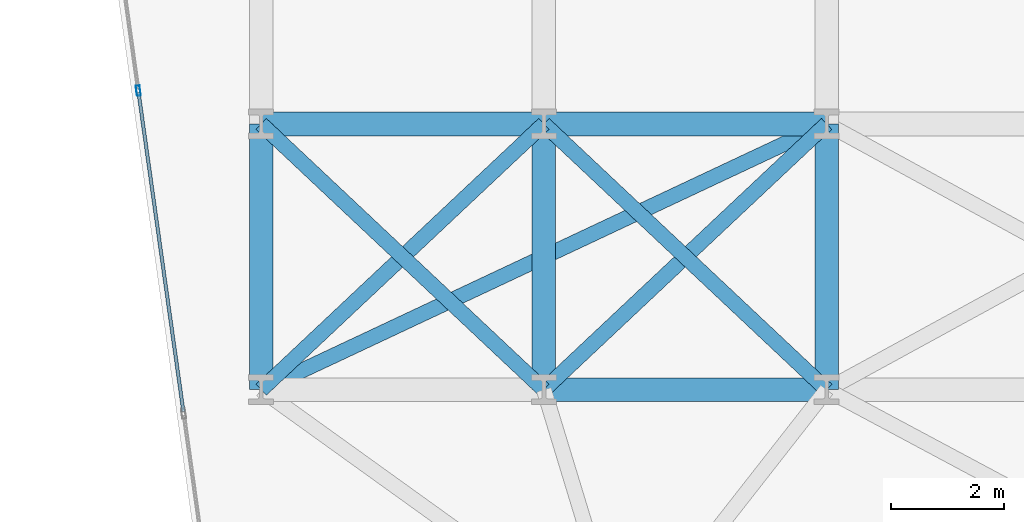
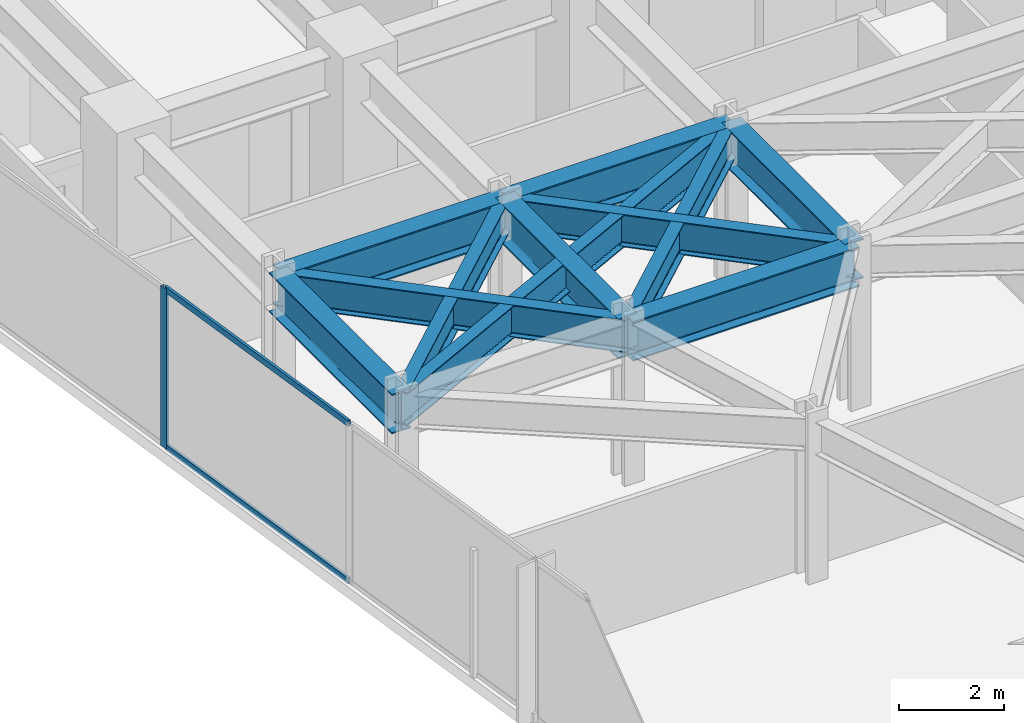
# One storey, part 8 of 25: 11 beams, 3 members, 1 element without a shape of its own.
"""IFC4 building model written with IfcOpenShell, lengths in metres."""

from ifc_helpers import new_model, si_unit, direction, frame, origin, origin_2d, place, context, subcontext, project, spatial, hollow_rectangle, i_section, extrude, material, layer, layer_set, material_profile, profile_set, type_object, element, aggregate, save


model = new_model("IFC4")

# Units and contexts
model_context = context("Model", 3, precision=1e-05, world=origin(), true_north=direction((0.0, 1.0)))
body_context = subcontext(model_context, "Body", "Model", "MODEL_VIEW")
ifc_project = project(units=[si_unit("LENGTHUNIT", "METRE"), si_unit("AREAUNIT", "SQUARE_METRE"), si_unit("VOLUMEUNIT", "CUBIC_METRE"), si_unit("PLANEANGLEUNIT", "RADIAN"), si_unit("MASSUNIT", "GRAM", prefix="KILO")], contexts=[model_context])

# Site, building, storey
site_placement = place(None, origin())
site = spatial("IfcSite", under=ifc_project, at=site_placement, CompositionType="ELEMENT")
building_placement = place(site_placement, origin())
building = spatial("IfcBuilding", under=site, at=building_placement, Name="Kravanh Interchange Tower", CompositionType="ELEMENT")
storey_placement = place(building_placement, frame((0.0, 0.0, 49.5)))
storey = spatial("IfcBuildingStorey", under=building, at=storey_placement, Name="L11", CompositionType="ELEMENT", Elevation=49.5)

# Curtain wall, members
ifc_material_1 = material(Name="Anodised Bronze Aluminium", Category="aluminium")
ifc_layer = layer(ifc_material_1, 0.179931640625)
ifc_layer_set = layer_set([ifc_layer], Name="Unitised Curtain Wall System CW-Z1 Lower Office")
curtain_wall_type = type_object("IfcCurtainWallType", Name="Unitised Curtain Wall System CW-Z1 Lower Office", PredefinedType="NOTDEFINED", material=ifc_layer_set)
curtain_wall_placement = place(storey_placement, origin())
curtain_wall = element("IfcCurtainWall", 1, at=curtain_wall_placement, inside=storey, type_object=curtain_wall_type, Name="L11 Unitised Curtain Wall CW-L11-01", PredefinedType="NOTDEFINED")
ifc_material_2 = material(Name="Anodised Bronze Aluminium", Category="aluminium")
ifc_material_profile_1 = material_profile(ifc_material_2, hollow_rectangle(XDim=0.070068359375, YDim=0.179931640625, WallThickness=0.00390625, at=origin_2d()), Name="ALU70X180X4")
ifc_profile_set_1 = profile_set([ifc_material_profile_1], Name="Anodised Bronze Aluminium")
member_type_1 = type_object("IfcMemberType", Name="Curtain Wall Mullion ALU70X180X4 Bronze", PredefinedType="MULLION", material=ifc_profile_set_1)
member_1_placement = place(storey_placement, frame((6.427490234375, 32.08935546875, 0.0), z_axis=(0.0, 0.0, 1.0), x_axis=(-0.990267585682, -0.139176538065, 0.0)))
member_1 = element("IfcMember", 2, at=member_1_placement, type_object=member_type_1, Name="CW-Z1 mullion 6", PredefinedType="MULLION", context=body_context, shape_type="SweptSolid", body=[
    extrude(hollow_rectangle(XDim=0.070068359375, YDim=0.179931640625, WallThickness=0.00390625, at=origin_2d()), origin(), (0.0, 0.0, 1.0), 3.739990234375),
])
ifc_material_3 = material(Name="Anodised Bronze Aluminium", Category="aluminium")
ifc_material_profile_2 = material_profile(ifc_material_3, hollow_rectangle(XDim=0.06005859375, YDim=0.139892578125, WallThickness=0.00390625, at=origin_2d()), Name="ALU60X140X4")
ifc_profile_set_2 = profile_set([ifc_material_profile_2], Name="Anodised Bronze Aluminium")
member_type_2 = type_object("IfcMemberType", Name="Curtain Wall Transom ALU60X140X4 Bronze", PredefinedType="USERDEFINED", material=ifc_profile_set_2)
member_2_placement = place(storey_placement, frame((7.22509765625, 26.41357421875, 0.030029296875), z_axis=(-0.139158957544, 0.990270056366, 0.0), x_axis=(-0.990270056366, -0.139158957544, 0.0)))
member_2 = element("IfcMember", 3, at=member_2_placement, type_object=member_type_2, Name="CW-Z1 transom 5.1", ObjectType="TRANSOM", PredefinedType="USERDEFINED", context=body_context, shape_type="SweptSolid", body=[
    extrude(hollow_rectangle(XDim=0.06005859375, YDim=0.139892578125, WallThickness=0.00390625, at=origin_2d()), origin(), (0.0, 0.0, 1.0), 5.696533203125),
])
member_3_placement = place(storey_placement, frame((7.22509765625, 26.41357421875, 3.7099609375), z_axis=(-0.139158957544, 0.990270056366, 0.0), x_axis=(-0.990270056366, -0.139158957544, 0.0)))
member_3 = element("IfcMember", 4, at=member_3_placement, type_object=member_type_2, Name="CW-Z1 transom 5.2", ObjectType="TRANSOM", PredefinedType="USERDEFINED", context=body_context, shape_type="SweptSolid", body=[
    extrude(hollow_rectangle(XDim=0.06005859375, YDim=0.139892578125, WallThickness=0.00390625, at=origin_2d()), origin(), (0.0, 0.0, 1.0), 5.696533203125),
])
aggregate(curtain_wall, [member_1, member_2, member_3])

# Beams
ifc_material_4 = material(Name="Structural Steel S355", Category="steel")
ifc_material_profile_3 = material_profile(ifc_material_4, i_section(OverallWidth=0.41796875, OverallDepth=0.927001953125, WebThickness=0.019287109375, FlangeThickness=0.031982421875, FilletRadius=0.028076171875, at=origin_2d()), Name="W36X231")
ifc_profile_set_3 = profile_set([ifc_material_profile_3], Name="Structural Steel S355")
beam_type_1 = type_object("IfcBeamType", Name="Floor Beam W36X231 Structural Steel S355", PredefinedType="BEAM", material=ifc_profile_set_3)
for number, where, z_axis, x_axis, name in (
    (5, (8.60009765625, 26.800048828125, 3.276611328125), (0.0, 1.0, 0.0), (-1.0, 0.0, 0.0), "L11 Primary Floor Girder 66"),
    (6, (13.60009765625, 26.800048828125, 3.276611328125), (0.0, 1.0, 0.0), (-1.0, 0.0, 0.0), "L11 Primary Floor Girder 70"),
):
    element("IfcBeam", number, at=place(storey_placement, frame(where, z_axis=z_axis, x_axis=x_axis)), inside=storey, type_object=beam_type_1, Name=name, PredefinedType="BEAM", context=body_context, shape_type="SweptSolid", body=[
        extrude(i_section(OverallWidth=0.41796875, OverallDepth=0.927001953125, WebThickness=0.019287109375, FlangeThickness=0.031982421875, FilletRadius=0.028076171875, at=origin_2d()), origin(), (0.0, 0.0, 1.0), 4.699951171875),
    ])
beam_1_placement = place(storey_placement, frame((13.60009765625, 26.800048828125, 3.276611328125), z_axis=(1.0, 0.0, 0.0), x_axis=(0.0, 1.0, 0.0)))
element("IfcBeam", 7, at=beam_1_placement, inside=storey, type_object=beam_type_1, Name="L11 Primary Floor Girder 71", PredefinedType="BEAM", context=body_context, shape_type="SweptSolid", body=[
    extrude(i_section(OverallWidth=0.41796875, OverallDepth=0.927001953125, WebThickness=0.019287109375, FlangeThickness=0.031982421875, FilletRadius=0.028076171875, at=origin_2d()), origin(), (0.0, 0.0, 1.0), 5.0),
])
beam_2_placement = place(storey_placement, frame((18.60009765625, 26.800048828125, 3.276611328125), z_axis=(0.0, 1.0, 0.0), x_axis=(-1.0, 0.0, 0.0)))
element("IfcBeam", 8, at=beam_2_placement, inside=storey, type_object=beam_type_1, Name="L11 Primary Floor Girder 74", PredefinedType="BEAM", context=body_context, shape_type="SweptSolid", body=[
    extrude(i_section(OverallWidth=0.41796875, OverallDepth=0.927001953125, WebThickness=0.019287109375, FlangeThickness=0.031982421875, FilletRadius=0.028076171875, at=origin_2d()), origin(), (0.0, 0.0, 1.0), 4.699951171875),
])
for number, where, z_axis, x_axis, name in (
    (9, (8.60009765625, 31.5, 3.276611328125), (1.0, 0.0, 0.0), (0.0, 1.0, 0.0), "L11 Primary Floor Girder 100"),
    (10, (13.60009765625, 31.5, 3.276611328125), (1.0, 0.0, 0.0), (0.0, 1.0, 0.0), "L11 Primary Floor Girder 101"),
):
    element("IfcBeam", number, at=place(storey_placement, frame(where, z_axis=z_axis, x_axis=x_axis)), inside=storey, type_object=beam_type_1, Name=name, PredefinedType="BEAM", context=body_context, shape_type="SweptSolid", body=[
        extrude(i_section(OverallWidth=0.41796875, OverallDepth=0.927001953125, WebThickness=0.019287109375, FlangeThickness=0.031982421875, FilletRadius=0.028076171875, at=origin_2d()), origin(), (0.0, 0.0, 1.0), 5.0),
    ])
ifc_material_5 = material(Name="Structural Steel S355", Category="steel")
ifc_material_profile_4 = material_profile(ifc_material_5, i_section(OverallWidth=0.26708984375, OverallDepth=0.761962890625, WebThickness=0.014404296875, FlangeThickness=0.021484375, FilletRadius=0.02490234375, at=origin_2d()), Name="W30X116")
ifc_profile_set_4 = profile_set([ifc_material_profile_4], Name="Structural Steel S355")
beam_type_2 = type_object("IfcBeamType", Name="Floor Spandrel W30X116 Structural Steel S355", PredefinedType="SPANDREL", material=ifc_profile_set_4)
beam_3_placement = place(storey_placement, frame((8.60009765625, 26.800048828125, 3.35888671875), z_axis=(0.728631219862, 0.684906231131, 0.0), x_axis=(-0.684906231131, 0.728631219862, 0.0)))
element("IfcBeam", 11, at=beam_3_placement, inside=storey, type_object=beam_type_2, Name="L11 Perimeter Spandrel 68", PredefinedType="SPANDREL", context=body_context, shape_type="SweptSolid", body=[
    extrude(i_section(OverallWidth=0.26708984375, OverallDepth=0.761962890625, WebThickness=0.014404296875, FlangeThickness=0.021484375, FilletRadius=0.02490234375, at=origin_2d()), origin(), (0.0, 0.0, 1.0), 6.862060546875),
])
beam_4_placement = place(storey_placement, frame((8.60009765625, 26.800048828125, 3.35888671875), z_axis=(0.905025402916, 0.425357520301, 0.0), x_axis=(-0.425357520301, 0.905025402916, 0.0)))
element("IfcBeam", 12, at=beam_4_placement, inside=storey, type_object=beam_type_2, Name="L11 Perimeter Spandrel 69", PredefinedType="SPANDREL", context=body_context, shape_type="SweptSolid", body=[
    extrude(i_section(OverallWidth=0.26708984375, OverallDepth=0.761962890625, WebThickness=0.014404296875, FlangeThickness=0.021484375, FilletRadius=0.02490234375, at=origin_2d()), origin(), (0.0, 0.0, 1.0), 11.04931640625),
])
for number, where, z_axis, x_axis, name in (
    (13, (13.60009765625, 26.800048828125, 3.35888671875), (-0.728631219862, 0.684906231131, 0.0), (-0.684906231131, -0.728631219862, 0.0), "L11 Perimeter Spandrel 72"),
    (14, (13.60009765625, 26.800048828125, 3.35888671875), (0.728631219862, 0.684906231131, 0.0), (-0.684906231131, 0.728631219862, 0.0), "L11 Perimeter Spandrel 73"),
    (15, (18.60009765625, 26.800048828125, 3.35888671875), (-0.728631219862, 0.684906231131, 0.0), (-0.684906231131, -0.728631219862, 0.0), "L11 Perimeter Spandrel 75"),
):
    element("IfcBeam", number, at=place(storey_placement, frame(where, z_axis=z_axis, x_axis=x_axis)), inside=storey, type_object=beam_type_2, Name=name, PredefinedType="SPANDREL", context=body_context, shape_type="SweptSolid", body=[
        extrude(i_section(OverallWidth=0.26708984375, OverallDepth=0.761962890625, WebThickness=0.014404296875, FlangeThickness=0.021484375, FilletRadius=0.02490234375, at=origin_2d()), origin(), (0.0, 0.0, 1.0), 6.862060546875),
    ])

save(model, "model.ifc")
